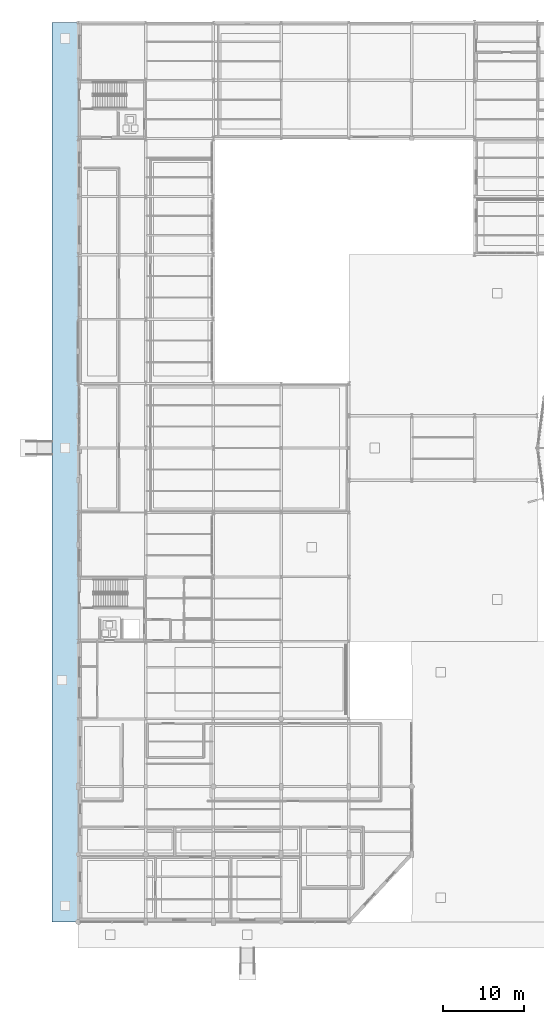
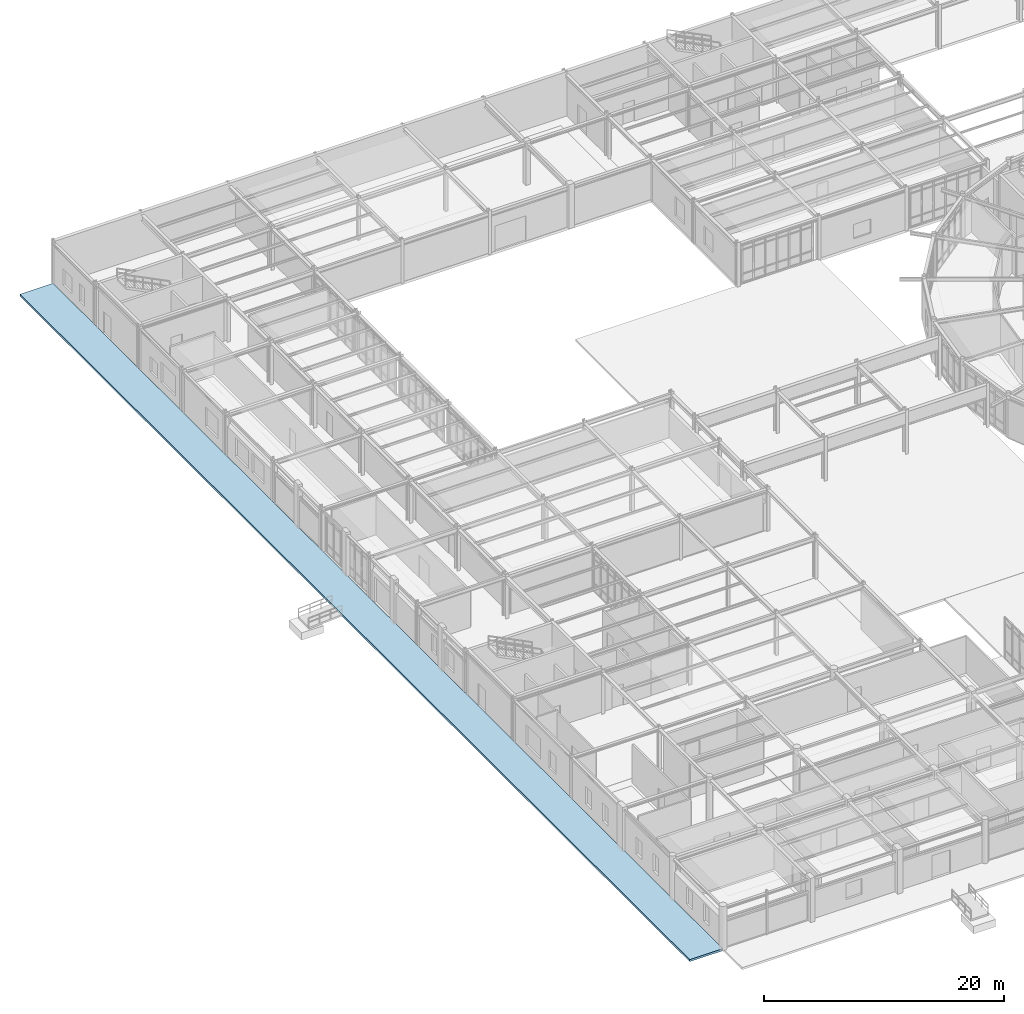
# One storey, part 60 of 101: 1 slab.
"""IFC4 building model written with IfcOpenShell, lengths in metres."""

from ifc_helpers import new_model, si_unit, derived_unit, direction, frame, origin, place, context, subcontext, project, spatial, polyline, outline, extrude, material, layer, layer_set, type_object, element, save


model = new_model("IFC4")

# Units and contexts
model_context = context("Model", 3, precision=1e-05, world=origin(), true_north=direction((0.0, 1.0)))
body_context = subcontext(model_context, "Body", "Model", "MODEL_VIEW")
ifc_project = project(units=[si_unit("LENGTHUNIT", "METRE"), si_unit("AREAUNIT", "SQUARE_METRE"), si_unit("VOLUMEUNIT", "CUBIC_METRE"), si_unit("PLANEANGLEUNIT", "RADIAN"), si_unit("MASSUNIT", "GRAM", prefix="KILO"), derived_unit("THERMALTRANSMITTANCEUNIT", [(si_unit("POWERUNIT", "WATT"), 1), (si_unit("AREAUNIT", "SQUARE_METRE"), -1), (si_unit("THERMODYNAMICTEMPERATUREUNIT", "KELVIN"), -1)])], contexts=[model_context])

# Site, building, storey
site_placement = place(None, origin())
site = spatial("IfcSite", under=ifc_project, at=site_placement, CompositionType="ELEMENT")
building_placement = place(site_placement, origin())
building = spatial("IfcBuilding", under=site, at=building_placement, Name="Yasenodar Specialist Clinic", CompositionType="ELEMENT")
storey_placement = place(building_placement, origin())
storey = spatial("IfcBuildingStorey", under=building, at=storey_placement, Name="L00", CompositionType="ELEMENT", Elevation=0.0)

# Slab
ifc_material = material(Name="Concrete C30/37", Category="concrete")
ifc_layer = layer(ifc_material, 0.2099609375)
ifc_layer_set = layer_set([ifc_layer], Name="Concrete C30/37")
slab_type = type_object("IfcSlabType", Name="SLB-APRON-210", PredefinedType="FLOOR", material=ifc_layer_set)
slab_placement = place(storey_placement, frame((0.0, 0.0, -0.2099609375)))
element("IfcSlab", 1, at=slab_placement, inside=storey, type_object=slab_type, Name="West Avenue Entrance Apron", PredefinedType="FLOOR", context=body_context, shape_type="SweptSolid", body=[
    extrude(outline(polyline([(-3.199951171875, 0.0), (-3.199951171875, 111.60009765625), (-0.014892578125, 111.60009765625), (-0.014892578125, 0.0), (-3.199951171875, 0.0)])), origin(), (0.0, 0.0, 1.0), 0.2099609375),
])

save(model, "model.ifc")
